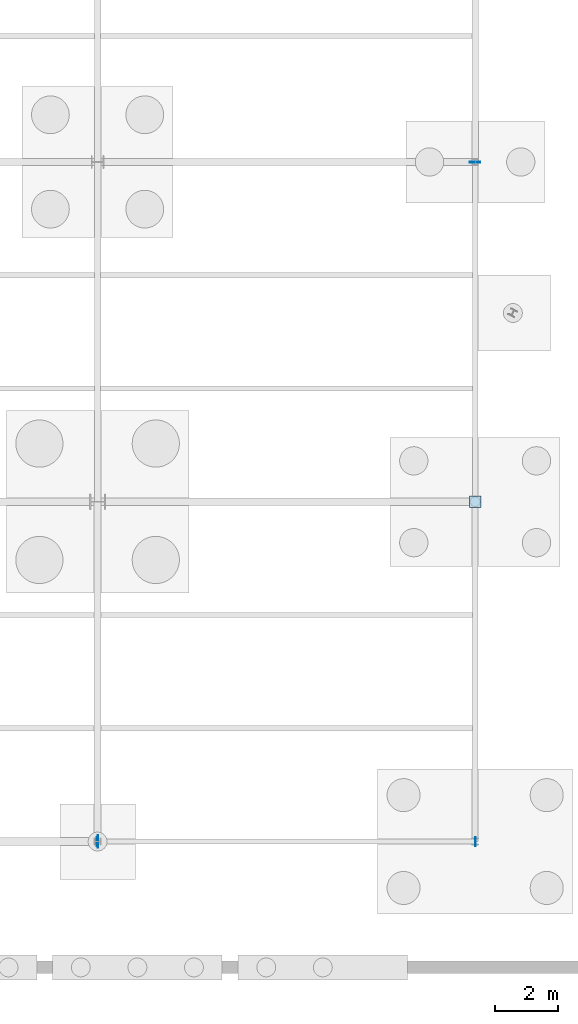
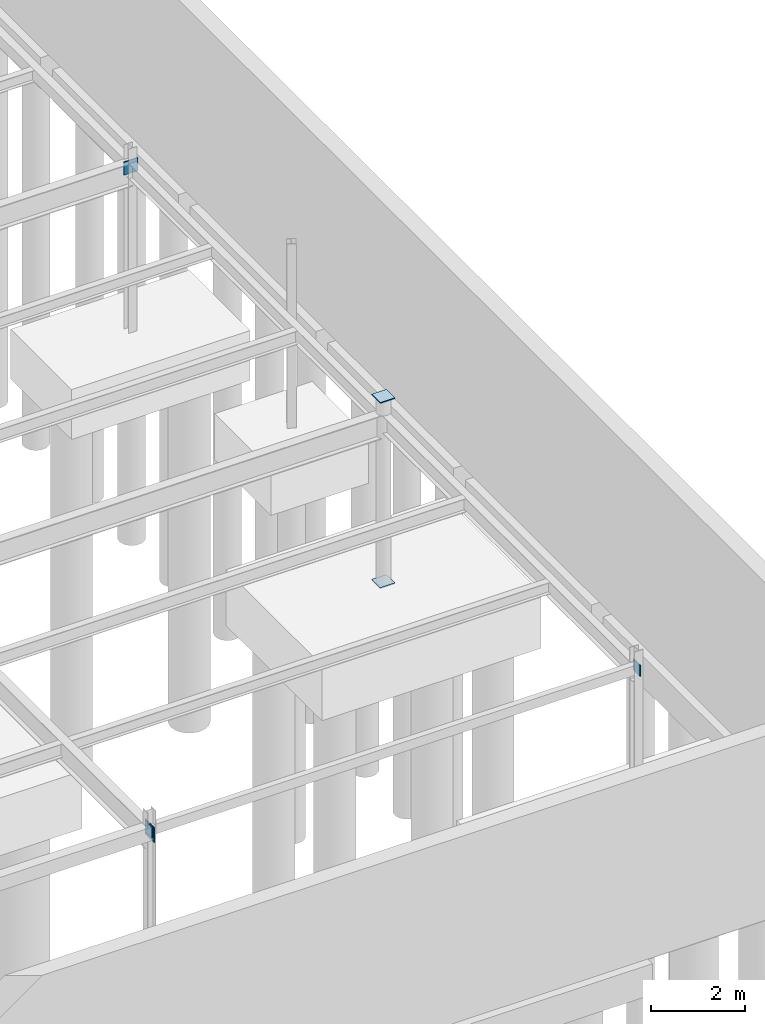
# One storey, part 106 of 136: 6 plates.
"""IFC4 building model written with IfcOpenShell, lengths in metres."""

from ifc_helpers import new_model, si_unit, direction, frame, origin, origin_2d, place, context, subcontext, project, spatial, rectangle, extrude, material, layer, layer_set, type_object, element, save


model = new_model("IFC4")

# Units and contexts
model_context = context("Model", 3, precision=1e-05, world=origin(), true_north=direction((0.0, 1.0)))
body_context = subcontext(model_context, "Body", "Model", "MODEL_VIEW")
ifc_project = project(units=[si_unit("LENGTHUNIT", "METRE"), si_unit("AREAUNIT", "SQUARE_METRE"), si_unit("VOLUMEUNIT", "CUBIC_METRE"), si_unit("PLANEANGLEUNIT", "RADIAN"), si_unit("MASSUNIT", "GRAM", prefix="KILO")], contexts=[model_context])

# Site, building, storey
site_placement = place(None, origin())
site = spatial("IfcSite", under=ifc_project, at=site_placement, CompositionType="ELEMENT")
building_placement = place(site_placement, origin())
building = spatial("IfcBuilding", under=site, at=building_placement, Name="Tarnwether General Hospital", CompositionType="ELEMENT")
storey_placement = place(building_placement, frame((0.0, 0.0, -4.800048828125)))
storey = spatial("IfcBuildingStorey", under=building, at=storey_placement, Name="LG", CompositionType="ELEMENT", Elevation=-4.800048828125)

# Plates
ifc_material = material(Name="Steel Grade 350 (350 MPa)", Category="steel")
ifc_layer = layer(ifc_material, 0.02490234375)
ifc_layer_set = layer_set([ifc_layer], Name="Steel Grade 350 (350 MPa)")
plate_type = type_object("IfcPlateType", Name="PT-GUS2", PredefinedType="USERDEFINED", material=ifc_layer_set)
for number, where, z_axis, x_axis, name in (
    (1, (192.0, 10.800048828125, -0.02490234375), (0.0, 0.0, 1.0), (1.0, 0.0, 0.0), "Hollow Section Welded End Cap Plate 0399"),
    (2, (192.0, 10.800048828125, 4.800048828125), (0.0, 0.0, 1.0), (1.0, 0.0, 0.0), "Hollow Section Welded End Cap Plate 0400"),
):
    element("IfcPlate", number, at=place(storey_placement, frame(where, z_axis=z_axis, x_axis=x_axis)), inside=storey, type_object=plate_type, Name=name, ObjectType="GUSSET", PredefinedType="USERDEFINED", context=body_context, shape_type="SweptSolid", body=[
        extrude(rectangle(XDim=0.364013671875, YDim=0.364013671875, at=origin_2d()), origin(), (0.0, 0.0, 1.0), 0.02490234375),
    ])
plate_1_placement = place(storey_placement, frame((180.012451171875, 0.0, 4.05029296875), z_axis=(0.0, 0.0, 1.0), x_axis=(1.0, 0.0, 0.0)))
element("IfcPlate", 3, at=plate_1_placement, inside=storey, type_object=plate_type, Name="Hollow Section Welded End Cap Plate 0842", ObjectType="GUSSET", PredefinedType="USERDEFINED", context=body_context, shape_type="SweptSolid", body=[
    extrude(rectangle(XDim=0.02490234375, YDim=0.389892578125, at=origin_2d()), origin(), (0.0, 0.0, 1.0), 0.389892578125),
])
for number, where, z_axis, x_axis, name in (
    (4, (179.987548828125, 0.0, 4.150146484375), (0.0, 0.0, 1.0), (1.0, 0.0, 0.0), "Hollow Section Welded End Cap Plate 0843"),
    (5, (192.012451171875, 0.0, 4.150146484375), (0.0, 0.0, 1.0), (1.0, 0.0, 0.0), "Hollow Section Welded End Cap Plate 0844"),
):
    element("IfcPlate", number, at=place(storey_placement, frame(where, z_axis=z_axis, x_axis=x_axis)), inside=storey, type_object=plate_type, Name=name, ObjectType="GUSSET", PredefinedType="USERDEFINED", context=body_context, shape_type="SweptSolid", body=[
        extrude(rectangle(XDim=0.02490234375, YDim=0.2900390625, at=origin_2d()), origin(), (0.0, 0.0, 1.0), 0.2900390625),
    ])
plate_2_placement = place(storey_placement, frame((192.0, 21.58740234375, 4.10009765625), z_axis=(0.0, 0.0, 1.0), x_axis=(0.0, 1.0, 0.0)))
element("IfcPlate", 6, at=plate_2_placement, inside=storey, type_object=plate_type, Name="Hollow Section Welded End Cap Plate 0847", ObjectType="GUSSET", PredefinedType="USERDEFINED", context=body_context, shape_type="SweptSolid", body=[
    extrude(rectangle(XDim=0.02490234375, YDim=0.340087890625, at=origin_2d()), origin(), (0.0, 0.0, 1.0), 0.340087890625),
])

save(model, "model.ifc")
